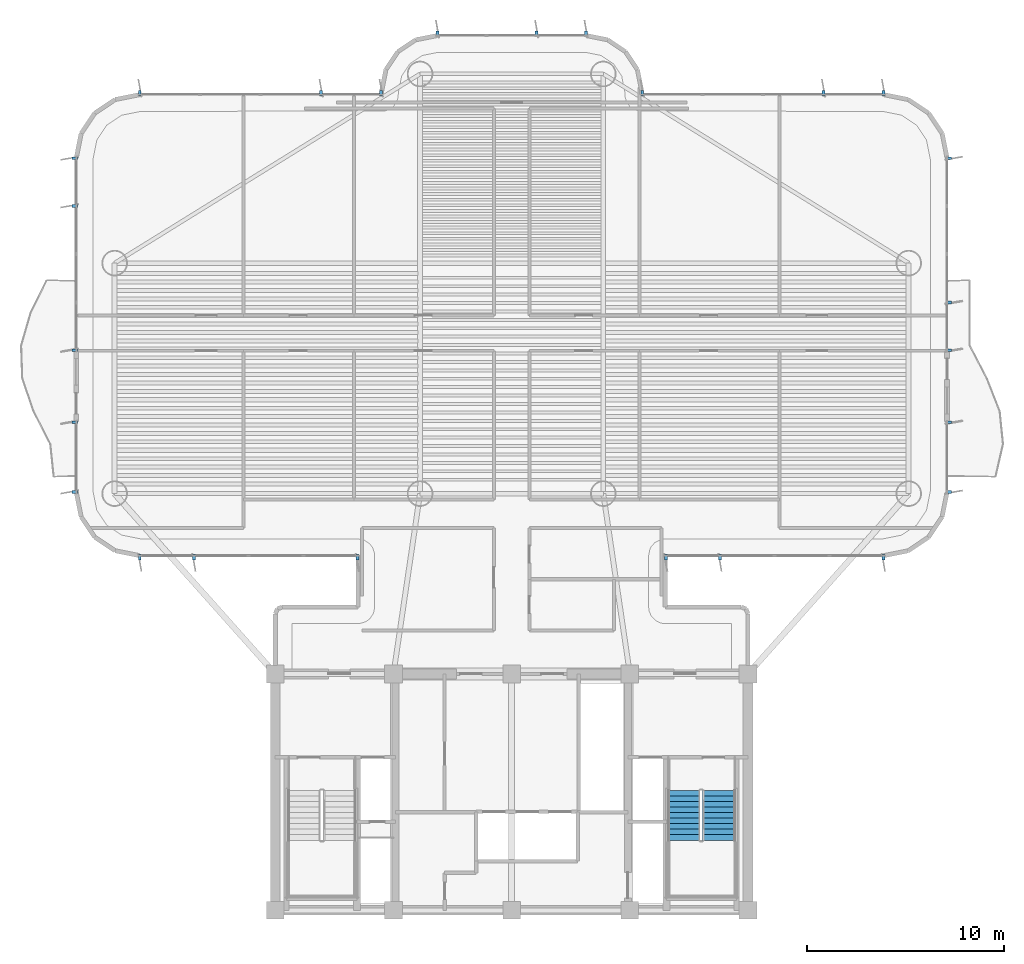
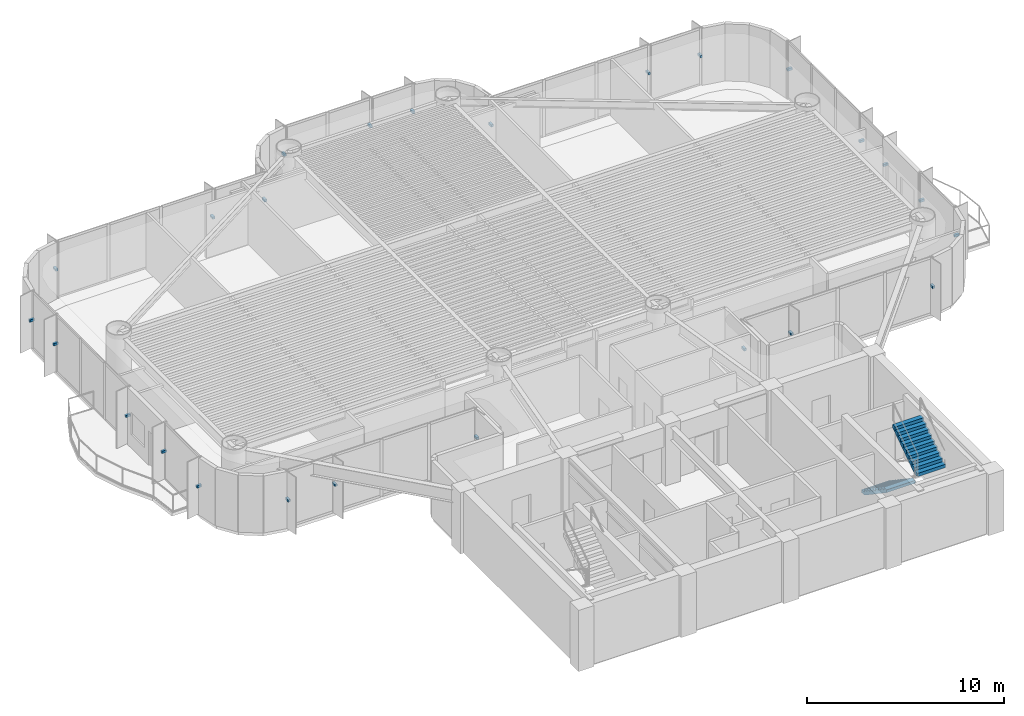
# One storey, part 12 of 16: 25 discrete accessories, 2 stair flights, 1 element without a shape of its own.
"""IFC4 building model written with IfcOpenShell, lengths in metres."""

from ifc_helpers import new_model, si_unit, direction, frame, origin, origin_2d, place, context, subcontext, project, spatial, polyline, rectangle, outline, extrude, source, transform, mapped, material, type_object, element, aggregate, save


model = new_model("IFC4")

# Units and contexts
model_context = context("Model", 3, precision=1e-05, world=origin(), true_north=direction((0.0, 1.0)))
body_context = subcontext(model_context, "Body", "Model", "MODEL_VIEW")
ifc_project = project(units=[si_unit("LENGTHUNIT", "METRE"), si_unit("AREAUNIT", "SQUARE_METRE"), si_unit("VOLUMEUNIT", "CUBIC_METRE"), si_unit("PLANEANGLEUNIT", "RADIAN"), si_unit("MASSUNIT", "GRAM", prefix="KILO")], contexts=[model_context])

# Site, building, storey
site_placement = place(None, origin())
site = spatial("IfcSite", under=ifc_project, at=site_placement, CompositionType="ELEMENT")
building_placement = place(site_placement, origin())
building = spatial("IfcBuilding", under=site, at=building_placement, Name="Brelvock Crest Care Tower", CompositionType="ELEMENT")
storey_placement = place(building_placement, frame((0.0, 0.0, 123.840087890625)))
storey = spatial("IfcBuildingStorey", under=building, at=storey_placement, Name="L31", CompositionType="ELEMENT", Elevation=123.840087890625)

# Stair, stair flights
ifc_material_1 = material(Name="Concrete N40 (40 MPa)", Category="concrete")
stair_type = type_object("IfcStairType", Name="ST-CORE1", PredefinedType="HALF_TURN_STAIR", material=ifc_material_1)
stair_placement = place(storey_placement, origin())
stair = element("IfcStair", 1, at=stair_placement, inside=storey, type_object=stair_type, Name="L31 Fire-Isolated Core Stair ST-2", PredefinedType="HALF_TURN_STAIR")
stair_flight_type = type_object("IfcStairFlightType", Name="STF-1", PredefinedType="STRAIGHT", material=ifc_material_1)
stair_flight_1_placement = place(storey_placement, frame((44.72998046875, 12.080078125, 0.0), z_axis=(0.0, 0.0, 1.0), x_axis=(0.0, -1.0, 0.0)))
stair_flight_1 = element("IfcStairFlight", 2, at=stair_flight_1_placement, type_object=stair_flight_type, Name="ST-2 flight 1", NumberOfRisers=10, NumberOfTreads=9, PredefinedType="STRAIGHT", RiserHeight=0.189, TreadLength=0.28, context=body_context, shape_type="SweptSolid", body=[
    extrude(outline(polyline([(-0.00390625, -0.014892578125), (-0.00390625, -0.0078125), (-0.00390625, -0.00048828125), (-0.00390625, 0.0068359375), (-0.00390625, 0.01416015625), (-0.00390625, 0.021484375), (-0.00390625, 0.02880859375), (-0.00390625, 0.035888671875), (-0.00390625, 0.043212890625), (-0.00390625, 0.050537109375), (-0.00390625, 0.057861328125), (-0.00390625, 0.065185546875), (-0.00390625, 0.072509765625), (-0.00390625, 0.07958984375), (-0.00390625, 0.0869140625), (-0.00390625, 0.09423828125), (-0.00390625, 0.1015625), (-0.00390625, 0.10888671875), (-0.00390625, 0.1162109375), (-0.00390625, 0.12353515625), (-0.00390625, 0.130615234375), (-0.00390625, 0.137939453125), (-0.00390625, 0.145263671875), (-0.00390625, 0.152587890625), (-0.00390625, 0.159912109375), (-0.00390625, 0.167236328125), (-0.00390625, 0.17431640625), (-0.00390625, 0.181640625), (-0.00390625, 0.18896484375), (0.0, 0.18896484375), (0.280029296875, 0.18896484375), (0.280029296875, 0.3779296875), (0.56005859375, 0.3779296875), (0.56005859375, 0.56689453125), (0.840087890625, 0.56689453125), (0.840087890625, 0.756103515625), (1.1201171875, 0.756103515625), (1.1201171875, 0.945068359375), (1.39990234375, 0.945068359375), (1.39990234375, 1.134033203125), (1.679931640625, 1.134033203125), (1.679931640625, 1.322998046875), (1.9599609375, 1.322998046875), (1.9599609375, 1.511962890625), (2.239990234375, 1.511962890625), (2.239990234375, 1.700927734375), (2.52001953125, 1.700927734375), (2.52392578125, 1.700927734375), (2.523681640625, 1.70068359375), (2.52392578125, 1.700439453125), (2.523681640625, 1.699951171875), (2.52392578125, 1.69970703125), (2.523681640625, 1.699462890625), (2.52392578125, 1.698974609375), (2.523681640625, 1.69873046875), (2.52392578125, 1.698486328125), (2.523681640625, 1.697998046875), (2.52392578125, 1.69775390625), (2.523681640625, 1.697509765625), (2.52392578125, 1.697021484375), (2.523681640625, 1.69677734375), (2.52392578125, 1.696533203125), (2.523681640625, 1.6962890625), (2.52392578125, 1.69580078125), (2.523681640625, 1.695556640625), (2.52392578125, 1.6953125), (2.523681640625, 1.69482421875), (2.52392578125, 1.694580078125), (2.523681640625, 1.6943359375), (2.52392578125, 1.69384765625), (2.523681640625, 1.693603515625), (2.52392578125, 1.693359375), (2.523681640625, 1.69287109375), (2.52392578125, 1.692626953125), (2.523681640625, 1.6923828125), (2.52392578125, 1.69189453125), (2.52001953125, 1.520263671875), (0.267822265625, 0.0), (0.0, 0.0), (0.0, -0.014892578125), (-0.00390625, -0.014892578125)])), frame((0.0, 0.83984375, 0.0), z_axis=(0.0, -1.0, 0.0), x_axis=(1.0, 0.0, 0.0)), (0.0, 0.0, 1.0), 1.679931640625),
])
stair_flight_2_placement = place(storey_placement, frame((46.530029296875, 9.56005859375, 1.889892578125), z_axis=(0.0, 0.0, 1.0), x_axis=(0.0, 1.0, 0.0)))
stair_flight_2 = element("IfcStairFlight", 3, at=stair_flight_2_placement, type_object=stair_flight_type, Name="ST-2 flight 2", NumberOfRisers=10, NumberOfTreads=9, PredefinedType="STRAIGHT", RiserHeight=0.189, TreadLength=0.28, context=body_context, shape_type="SweptSolid", body=[
    extrude(outline(polyline([(-0.00390625, -0.014892578125), (-0.00390625, -0.0078125), (-0.00390625, -0.00048828125), (-0.00390625, 0.0068359375), (-0.00390625, 0.01416015625), (-0.00390625, 0.021484375), (-0.00390625, 0.02880859375), (-0.00390625, 0.035888671875), (-0.00390625, 0.043212890625), (-0.00390625, 0.050537109375), (-0.00390625, 0.057861328125), (-0.00390625, 0.065185546875), (-0.00390625, 0.072509765625), (-0.00390625, 0.07958984375), (-0.00390625, 0.0869140625), (-0.00390625, 0.09423828125), (-0.00390625, 0.1015625), (-0.00390625, 0.10888671875), (-0.00390625, 0.1162109375), (-0.00390625, 0.12353515625), (-0.00390625, 0.130615234375), (-0.00390625, 0.137939453125), (-0.00390625, 0.145263671875), (-0.00390625, 0.152587890625), (-0.00390625, 0.159912109375), (-0.00390625, 0.167236328125), (-0.00390625, 0.17431640625), (-0.00390625, 0.181640625), (-0.00390625, 0.18896484375), (0.0, 0.18896484375), (0.280029296875, 0.18896484375), (0.280029296875, 0.3779296875), (0.56005859375, 0.3779296875), (0.56005859375, 0.56689453125), (0.840087890625, 0.56689453125), (0.840087890625, 0.756103515625), (1.1201171875, 0.756103515625), (1.1201171875, 0.945068359375), (1.39990234375, 0.945068359375), (1.39990234375, 1.134033203125), (1.679931640625, 1.134033203125), (1.679931640625, 1.322998046875), (1.9599609375, 1.322998046875), (1.9599609375, 1.511962890625), (2.239990234375, 1.511962890625), (2.239990234375, 1.700927734375), (2.52001953125, 1.700927734375), (2.52392578125, 1.700927734375), (2.523681640625, 1.70068359375), (2.52392578125, 1.700439453125), (2.523681640625, 1.699951171875), (2.52392578125, 1.69970703125), (2.523681640625, 1.699462890625), (2.52392578125, 1.698974609375), (2.523681640625, 1.69873046875), (2.52392578125, 1.698486328125), (2.523681640625, 1.697998046875), (2.52392578125, 1.69775390625), (2.523681640625, 1.697509765625), (2.52392578125, 1.697021484375), (2.523681640625, 1.69677734375), (2.52392578125, 1.696533203125), (2.523681640625, 1.6962890625), (2.52392578125, 1.69580078125), (2.523681640625, 1.695556640625), (2.52392578125, 1.6953125), (2.523681640625, 1.69482421875), (2.52392578125, 1.694580078125), (2.523681640625, 1.6943359375), (2.52392578125, 1.69384765625), (2.523681640625, 1.693603515625), (2.52392578125, 1.693359375), (2.523681640625, 1.69287109375), (2.52392578125, 1.692626953125), (2.523681640625, 1.6923828125), (2.52392578125, 1.69189453125), (2.52001953125, 1.520263671875), (0.267822265625, 0.0), (0.0, 0.0), (0.0, -0.014892578125), (-0.00390625, -0.014892578125)])), frame((0.0, 0.83984375, 0.0), z_axis=(0.0, -1.0, 0.0), x_axis=(1.0, 0.0, 0.0)), (0.0, 0.0, 1.0), 1.679931640625),
])
aggregate(stair, [stair_flight_1, stair_flight_2])

# Discrete accessories
ifc_material_2 = material(Name="Steel Grade 350", Category="steel")
discrete_accessory_type = type_object("IfcDiscreteAccessoryType", Name="ACC-BRK1", PredefinedType="BRACKET", material=ifc_material_2)
shared_shape = source(origin(), body_context, "Body", "SweptSolid", [
    extrude(rectangle(XDim=0.280029296875, YDim=0.139892578125, at=origin_2d()), origin(), (0.0, 0.0, 1.0), 0.139892578125),
])
for number, where, z_axis, x_axis, name in (
    (4, (28.169921875, 23.919921875, 1.69482421875), (0.0, 0.0, 1.0), (0.0, -1.0, 0.0), "L31 Facade Fin Bracket E12-01"),
    (5, (19.875, 23.919921875, 1.69482421875), (0.0, 0.0, 1.0), (0.0, -1.0, 0.0), "L31 Facade Fin Bracket E12-04"),
    (6, (17.1298828125, 23.919921875, 1.69482421875), (0.0, 0.0, 1.0), (0.0, -1.0, 0.0), "L31 Facade Fin Bracket E12-05"),
    (7, (13.820068359375, 27.22998046875, 1.69482421875), (0.0, 0.0, 1.0), (-1.0, 0.0, 0.0), "L31 Facade Fin Bracket E17A-01"),
    (8, (13.820068359375, 30.77001953125, 1.69482421875), (0.0, 0.0, 1.0), (-1.0, 0.0, 0.0), "L31 Facade Fin Bracket E17A-02"),
    (9, (13.820068359375, 34.429931640625, 1.69482421875), (0.0, 0.0, 1.0), (-1.0, 0.0, 0.0), "L31 Facade Fin Bracket E17B-01"),
    (10, (13.820068359375, 41.75, 1.69482421875), (0.0, 0.0, 1.0), (-1.0, 0.0, 0.0), "L31 Facade Fin Bracket E17B-04"),
    (11, (13.820068359375, 44.169921875, 1.69482421875), (0.0, 0.0, 1.0), (-1.0, 0.0, 0.0), "L31 Facade Fin Bracket E17B-05"),
    (12, (17.1298828125, 47.47998046875, 1.69482421875), (0.0, 0.0, 1.0), (0.0, 1.0, 0.0), "L31 Facade Fin Bracket E22-01"),
    (13, (26.324951171875, 47.47998046875, 1.69482421875), (0.0, 0.0, 1.0), (0.0, 1.0, 0.0), "L31 Facade Fin Bracket E22-04"),
    (14, (29.3701171875, 47.47998046875, 1.69482421875), (0.0, 0.0, 1.0), (0.0, 1.0, 0.0), "L31 Facade Fin Bracket E22-05"),
    (15, (32.22998046875, 50.47998046875, 1.69482421875), (0.0, 0.0, 1.0), (0.0, 1.0, 0.0), "L31 Facade Fin Bracket E28-01"),
    (16, (37.2666015625, 50.47998046875, 1.69482421875), (0.0, 0.0, 1.0), (0.0, 1.0, 0.0), "L31 Facade Fin Bracket E28-03"),
    (17, (39.77001953125, 50.47998046875, 1.69482421875), (0.0, 0.0, 1.0), (0.0, 1.0, 0.0), "L31 Facade Fin Bracket E28-04"),
    (18, (42.6298828125, 47.47998046875, 1.69482421875), (0.0, 0.0, 1.0), (0.0, 1.0, 0.0), "L31 Facade Fin Bracket E34-01"),
    (19, (51.824951171875, 47.47998046875, 1.69482421875), (0.0, 0.0, 1.0), (0.0, 1.0, 0.0), "L31 Facade Fin Bracket E34-04"),
    (20, (54.8701171875, 47.47998046875, 1.69482421875), (0.0, 0.0, 1.0), (0.0, 1.0, 0.0), "L31 Facade Fin Bracket E34-05"),
    (21, (58.179931640625, 44.169921875, 1.69482421875), (0.0, 0.0, 1.0), (1.0, 0.0, 0.0), "L31 Facade Fin Bracket E39A-01"),
    (22, (58.179931640625, 36.85009765625, 1.69482421875), (0.0, 0.0, 1.0), (1.0, 0.0, 0.0), "L31 Facade Fin Bracket E39A-04"),
    (23, (58.179931640625, 34.429931640625, 1.69482421875), (0.0, 0.0, 1.0), (1.0, 0.0, 0.0), "L31 Facade Fin Bracket E39A-05"),
    (24, (58.179931640625, 30.77001953125, 1.69482421875), (0.0, 0.0, 1.0), (1.0, 0.0, 0.0), "L31 Facade Fin Bracket E39B-01"),
    (25, (58.179931640625, 27.22998046875, 1.69482421875), (0.0, 0.0, 1.0), (1.0, 0.0, 0.0), "L31 Facade Fin Bracket E39B-02"),
    (26, (54.8701171875, 23.919921875, 1.69482421875), (0.0, 0.0, 1.0), (0.0, -1.0, 0.0), "L31 Facade Fin Bracket E44-01"),
    (27, (46.574951171875, 23.919921875, 1.69482421875), (0.0, 0.0, 1.0), (0.0, -1.0, 0.0), "L31 Facade Fin Bracket E44-04"),
    (28, (43.830078125, 23.919921875, 1.69482421875), (0.0, 0.0, 1.0), (0.0, -1.0, 0.0), "L31 Facade Fin Bracket E44-05"),
):
    element("IfcDiscreteAccessory", number, at=place(storey_placement, frame(where, z_axis=z_axis, x_axis=x_axis)), inside=storey, type_object=discrete_accessory_type, Name=name, PredefinedType="BRACKET", context=body_context, shape_type="MappedRepresentation", body=[
        mapped(shared_shape, transform((0.0, 0.0, 0.0), x_axis=(1.0, 0.0, 0.0), y_axis=(0.0, 1.0, 0.0), z_axis=(0.0, 0.0, 1.0), scale=1.0)),
    ])

save(model, "model.ifc")
